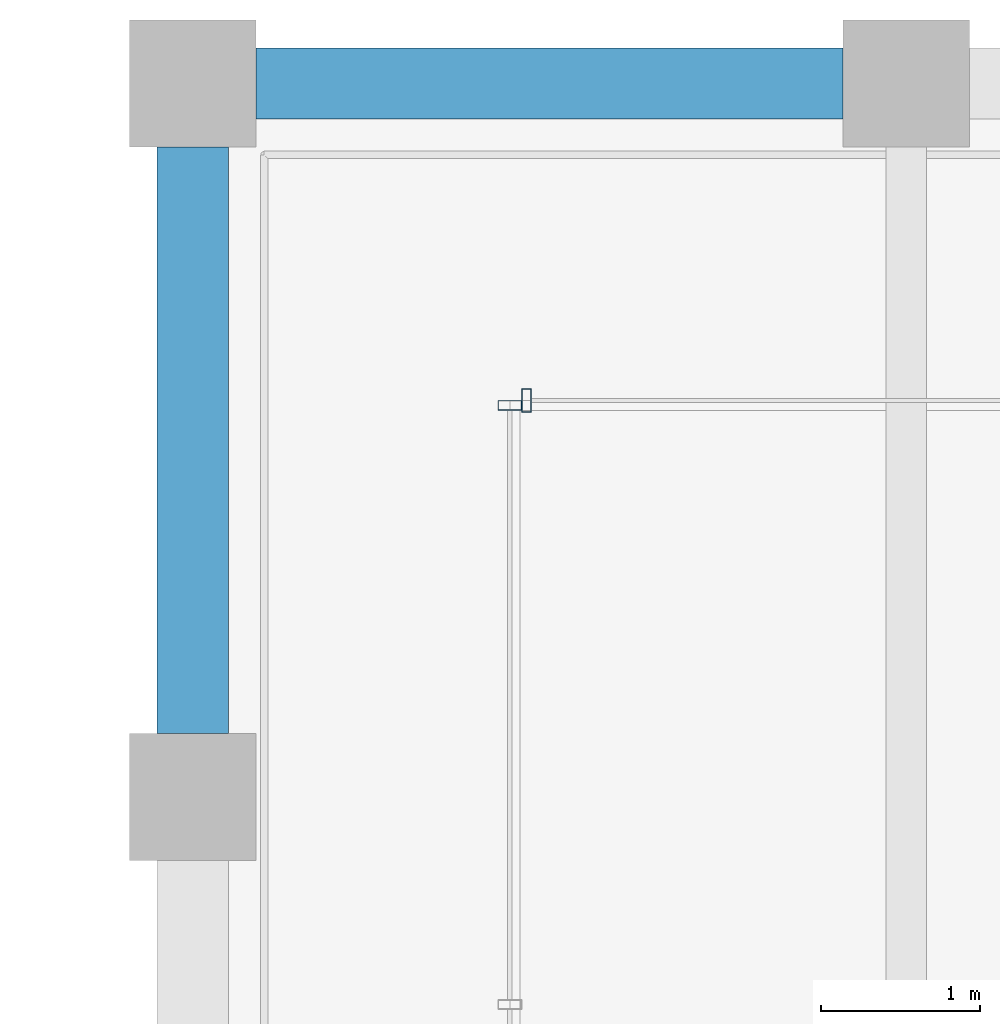
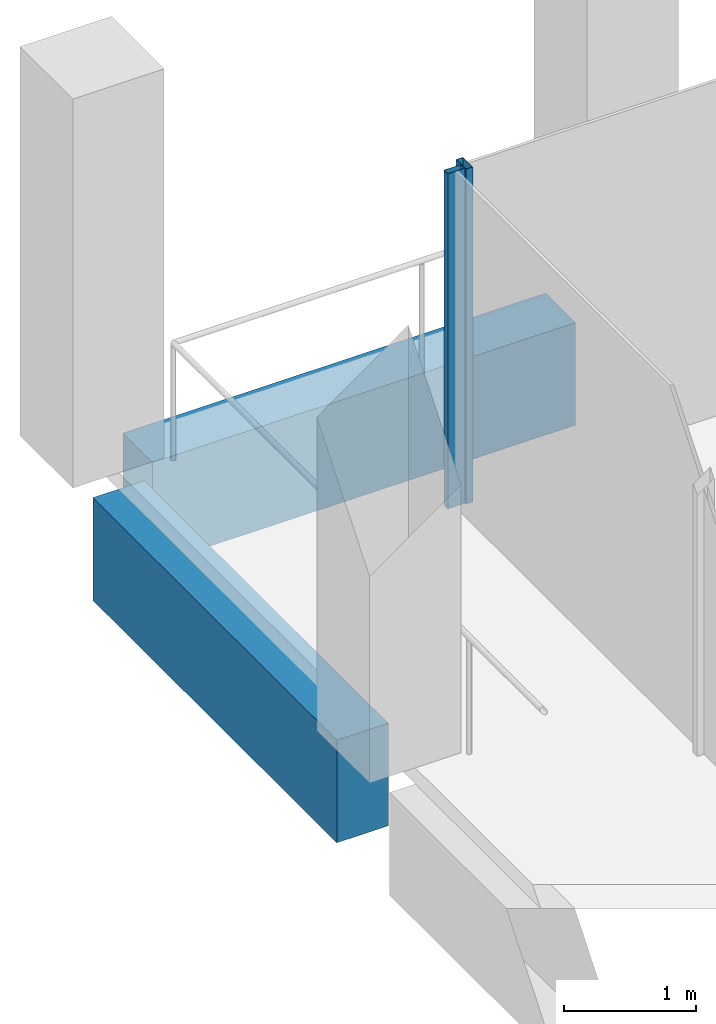
# One storey, part 21 of 40: 2 beams, 2 members, 2 elements without a shape of their own.
"""IFC4 building model written with IfcOpenShell, lengths in metres."""

import ifcopenshell
import ifcopenshell.guid

model = None  # the IFC model being written
_history = None  # IfcOwnerHistory: only IFC2X3 demands one
_inside = {}  # id of a spatial element -> (the spatial element, [elements in it])
_under = {}  # id of a project, library or spatial element -> (it, [spatial elements below it])
_declared = {}  # id of a project -> (the project, [libraries it declares])
_typed = {}  # id of a type object -> (the type object, [elements of that type])
_made_of = {}  # id of a material, layer set ... -> (it, [elements and type objects made of it])


def new_model(schema):
    """Start an empty IFC model of exactly this schema.

    Asked for "IFC4X3", IfcOpenShell would pick the latest addendum, in which some entities
    have other attributes; the version numbers below select the first issue.
    IFC2X3 requires an IfcOwnerHistory on every rooted entity: one is made here for all.
    """
    global model, _history
    if schema == "IFC4X3":
        model = ifcopenshell.file(schema_version=(4, 3, 0, 0))
    else:
        model = ifcopenshell.file(schema=schema)
    _inside.clear()
    _under.clear()
    _declared.clear()
    _typed.clear()
    _made_of.clear()
    _history = None
    if model.schema == "IFC2X3":
        org = make("IfcOrganization", Name="unknown")
        user = make(
            "IfcPersonAndOrganization",
            ThePerson=make("IfcPerson", FamilyName="unknown"),
            TheOrganization=org,
        )
        app = make(
            "IfcApplication",
            ApplicationDeveloper=org,
            Version="unknown",
            ApplicationFullName="unknown",
            ApplicationIdentifier="unknown",
        )
        _history = make(
            "IfcOwnerHistory",
            OwningUser=user,
            OwningApplication=app,
            ChangeAction="ADDED",
            CreationDate=0,
        )
    return model


def make(cls, **values):
    """One entity of the class cls with the attributes given. An attribute that is None is left unset."""
    return model.create_entity(
        cls, **{name: value for name, value in values.items() if value is not None}
    )


def rooted(cls, **values):
    """An entity with a GlobalId (a new one), such as an element, a storey or a relation."""
    return make(cls, GlobalId=ifcopenshell.guid.new(), OwnerHistory=_history, **values)


def si_unit(unit_type, name, prefix=None):
    """IfcSIUnit, for example si_unit("LENGTHUNIT", "METRE", prefix="MILLI")."""
    return make("IfcSIUnit", UnitType=unit_type, Prefix=prefix, Name=name)


def assignment(units):
    """IfcUnitAssignment: the units of a project."""
    return None if units is None else make("IfcUnitAssignment", Units=units)


def point(xyz):
    """IfcCartesianPoint."""
    return None if xyz is None else make("IfcCartesianPoint", Coordinates=xyz)


def direction(xyz):
    """IfcDirection."""
    return None if xyz is None else make("IfcDirection", DirectionRatios=xyz)


def frame(location, z_axis=None, x_axis=None):
    """IfcAxis2Placement3D, a coordinate frame: its origin and axes. An axis left out is left unset."""
    return make(
        "IfcAxis2Placement3D",
        Location=point(location),
        Axis=direction(z_axis),
        RefDirection=direction(x_axis),
    )


def frame_2d(location, x_axis=None):
    """IfcAxis2Placement2D, a coordinate frame in the plane: its origin and x axis."""
    return make(
        "IfcAxis2Placement2D", Location=point(location), RefDirection=direction(x_axis)
    )


def origin():
    """The frame at (0, 0, 0) with its axes left unset."""
    return frame((0.0, 0.0, 0.0))


def origin_2d():
    """The frame at (0, 0) in the plane with its x axis left unset."""
    return frame_2d((0.0, 0.0))


def place(relative_to, where):
    """IfcLocalPlacement: puts the frame where relative to a parent placement (None: the world)."""
    return make(
        "IfcLocalPlacement", PlacementRelTo=relative_to, RelativePlacement=where
    )


def context(
    kind, dimensions, precision=None, world=None, true_north=None, identifier=None
):
    """IfcGeometricRepresentationContext, for example the 3D "Model" context."""
    return make(
        "IfcGeometricRepresentationContext",
        ContextIdentifier=identifier,
        ContextType=kind,
        CoordinateSpaceDimension=dimensions,
        Precision=precision,
        WorldCoordinateSystem=world,
        TrueNorth=true_north,
    )


def subcontext(parent, identifier, kind, view, scale=None):
    """IfcGeometricRepresentationSubContext, for example "Body" below "Model"."""
    return make(
        "IfcGeometricRepresentationSubContext",
        ContextIdentifier=identifier,
        ContextType=kind,
        ParentContext=parent,
        TargetScale=scale,
        TargetView=view,
    )


def project(units=None, contexts=None):
    """IfcProject with its units and contexts."""
    return rooted(
        "IfcProject",
        Name="project",
        RepresentationContexts=contexts,
        UnitsInContext=assignment(units),
    )


def spatial(cls, under=None, at=None, **own):
    """A site, building, storey or space (cls), placed at a placement, below another one or the project."""
    s = rooted(cls, ObjectPlacement=at, **own)
    if under is not None:
        _under.setdefault(under.id(), (under, []))[1].append(s)
    return s


def profile(cls, at=None, kind="AREA", **sizes):
    """A parametric profile (cls). Its sizes go by their IFC names, for example OverallWidth=200.0."""
    return make(cls, ProfileType=kind, Position=at, **sizes)


def rectangle(**sizes):
    """IfcRectangleProfileDef."""
    return profile("IfcRectangleProfileDef", **sizes)


def hollow_rectangle(**sizes):
    """IfcRectangleHollowProfileDef."""
    return profile("IfcRectangleHollowProfileDef", **sizes)


def extrude(swept, where, along, depth):
    """IfcExtrudedAreaSolid: the profile swept, set in the frame where, extruded along a direction by depth."""
    return make(
        "IfcExtrudedAreaSolid",
        SweptArea=swept,
        Position=where,
        ExtrudedDirection=direction(along),
        Depth=depth,
    )


def shape(context_of_items, identifier, shape_type, items):
    """IfcShapeRepresentation: the items that make up one representation, for example the "Body"."""
    return make(
        "IfcShapeRepresentation",
        ContextOfItems=context_of_items,
        RepresentationIdentifier=identifier,
        RepresentationType=shape_type,
        Items=items,
    )


def material(Name=None, Category=None):
    """IfcMaterial."""
    return make("IfcMaterial", Name=Name, Category=Category)


def material_profile(
    of_material, cross_section, Name=None, Category=None, Priority=None
):
    """IfcMaterialProfile: a cross section and its material."""
    return make(
        "IfcMaterialProfile",
        Name=Name,
        Material=of_material,
        Profile=cross_section,
        Priority=Priority,
        Category=Category,
    )


def profile_set(profiles, Name=None, composite=None):
    """IfcMaterialProfileSet."""
    return make(
        "IfcMaterialProfileSet",
        Name=Name,
        MaterialProfiles=profiles,
        CompositeProfile=composite,
    )


def made_of(thing, what):
    """Note that an element or type object is made of a material, layer set ...; save() writes the relation."""
    if what is not None:
        _made_of.setdefault(what.id(), (what, []))[1].append(thing)
    return thing


def type_object(cls, material=None, **own):
    """A type object (cls), such as IfcWallType, which elements share."""
    return made_of(rooted(cls, **own), material)


def element(
    cls,
    number,
    at=None,
    inside=None,
    cuts=None,
    type_object=None,
    material=None,
    context=None,
    identifier="Body",
    shape_type=None,
    held_by="IfcProductDefinitionShape",
    body=None,
    shapes=None,
    **own,
):
    """One element of the class cls, such as IfcWall. Its Tag is "e" and its number.

    at: its placement. inside: the storey or other place that contains it. cuts: it is an
    opening in that element (IfcRelVoidsElement). A single representation is given by context,
    identifier, shape_type and body (its items); several are given by shapes. held_by: the class
    of the entity that holds the representations. save() writes the other relations.
    """
    e = rooted(cls, Tag="e%d" % number, ObjectPlacement=at, **own)
    if body is not None:
        shapes = [shape(context, identifier, shape_type, body)]
    if shapes is not None:
        e.Representation = make(held_by, Representations=shapes)
    if inside is not None:
        _inside.setdefault(inside.id(), (inside, []))[1].append(e)
    if cuts is not None:
        rooted(
            "IfcRelVoidsElement", RelatingBuildingElement=cuts, RelatedOpeningElement=e
        )
    if type_object is not None:
        _typed.setdefault(type_object.id(), (type_object, []))[1].append(e)
    return made_of(e, material)


def aggregate(whole, parts):
    """IfcRelAggregates: a whole, such as a stair, and the parts it consists of."""
    return rooted("IfcRelAggregates", RelatingObject=whole, RelatedObjects=parts)


def save(model, path):
    """Write the relations noted so far, then the file.

    IfcRelAggregates (storeys below a building ...), IfcRelContainedInSpatialStructure (elements
    in a storey), IfcRelDefinesByType, IfcRelAssociatesMaterial and IfcRelDeclares: one each for
    every whole, place, type object, material and project.
    """
    for whole, parts in _under.values():
        aggregate(whole, parts)
    for where, things in _inside.values():
        rooted(
            "IfcRelContainedInSpatialStructure",
            RelatedElements=things,
            RelatingStructure=where,
        )
    for kind, things in _typed.values():
        rooted("IfcRelDefinesByType", RelatedObjects=things, RelatingType=kind)
    for what, things in _made_of.values():
        rooted("IfcRelAssociatesMaterial", RelatedObjects=things, RelatingMaterial=what)
    for by, libraries in _declared.values():
        rooted("IfcRelDeclares", RelatingContext=by, RelatedDefinitions=libraries)
    model.write(path)


model = new_model("IFC4")

# Units and contexts
model_context = context("Model", 3, precision=1e-05, world=origin(), true_north=direction((0.0, 1.0)))
body_context = subcontext(model_context, "Body", "Model", "MODEL_VIEW")
ifc_project = project(units=[si_unit("LENGTHUNIT", "METRE"), si_unit("AREAUNIT", "SQUARE_METRE"), si_unit("VOLUMEUNIT", "CUBIC_METRE"), si_unit("PLANEANGLEUNIT", "RADIAN"), si_unit("MASSUNIT", "GRAM", prefix="KILO")], contexts=[model_context])

# Site, building, storey
site_placement = place(None, origin())
site = spatial("IfcSite", under=ifc_project, at=site_placement, CompositionType="ELEMENT")
building_placement = place(site_placement, origin())
building = spatial("IfcBuilding", under=site, at=building_placement, Name="Altepetl Exchange Towers", CompositionType="ELEMENT")
storey_placement = place(building_placement, frame((0.0, 0.0, 202.800048828125)))
storey = spatial("IfcBuildingStorey", under=building, at=storey_placement, Name="L51", CompositionType="ELEMENT", Elevation=202.800048828125)

# Curtain wall, member
ifc_material_1 = material(Name="Aluminium 6063-T6 glazing", Category="aluminium")
curtain_wall_type = type_object("IfcCurtainWallType", Name="Loggia glazing system", PredefinedType="NOTDEFINED", material=ifc_material_1)
curtain_wall_1_placement = place(storey_placement, origin())
curtain_wall_1 = element("IfcCurtainWall", 1, at=curtain_wall_1_placement, inside=storey, type_object=curtain_wall_type, Name="CW1 run", PredefinedType="NOTDEFINED")
ifc_material_2 = material(Name="Aluminium 6063-T6", Category="aluminium")
ifc_material_profile_1 = material_profile(ifc_material_2, hollow_rectangle(XDim=0.06005859375, YDim=0.14990234375, WallThickness=0.0029296875, at=origin_2d()), Name="Mullion 60x150 aluminium")
ifc_profile_set_1 = profile_set([ifc_material_profile_1], Name="Aluminium 6063-T6")
member_type = type_object("IfcMemberType", Name="Mullion 60x150 aluminium", PredefinedType="MULLION", material=ifc_profile_set_1)
member_1_placement = place(storey_placement, frame((42.60498046875, 70.0, 0.0), z_axis=(0.0, 0.0, 1.0), x_axis=(-1.0, 0.0, 0.0)))
member_1 = element("IfcMember", 2, at=member_1_placement, type_object=member_type, Name="MU1 mullion", PredefinedType="MULLION", context=body_context, shape_type="SweptSolid", body=[
    extrude(hollow_rectangle(XDim=0.06005859375, YDim=0.14990234375, WallThickness=0.0029296875, at=origin_2d()), origin(), (0.0, 0.0, 1.0), 3.099853515625),
])
aggregate(curtain_wall_1, [member_1])

curtain_wall_2_placement = place(storey_placement, origin())
curtain_wall_2 = element("IfcCurtainWall", 3, at=curtain_wall_2_placement, inside=storey, type_object=curtain_wall_type, Name="CW1 run", PredefinedType="NOTDEFINED")
member_2_placement = place(storey_placement, frame((42.5, 69.969970703125, 0.0), z_axis=(0.0, 0.0, 1.0), x_axis=(0.0, -1.0, 0.0)))
member_2 = element("IfcMember", 4, at=member_2_placement, type_object=member_type, Name="MU1 mullion", PredefinedType="MULLION", context=body_context, shape_type="SweptSolid", body=[
    extrude(hollow_rectangle(XDim=0.06005859375, YDim=0.14990234375, WallThickness=0.0029296875, at=origin_2d()), origin(), (0.0, 0.0, 1.0), 3.099853515625),
])
aggregate(curtain_wall_2, [member_2])

# Beams
ifc_material_3 = material(Name="Concrete C50/60 precast with cantera rosa facing", Category="concrete")
ifc_material_profile_2 = material_profile(ifc_material_3, rectangle(XDim=0.449951171875, YDim=0.949951171875, at=origin_2d()), Name="450 x 950")
ifc_profile_set_2 = profile_set([ifc_material_profile_2], Name="Concrete C50/60 precast with cantera rosa facing")
beam_type_1 = type_object("IfcBeamType", Name="Spandrel beam 450x950 cantera rosa", PredefinedType="SPANDREL", material=ifc_profile_set_2)
beam_1_placement = place(storey_placement, frame((44.60009765625, 72.0, -0.625), z_axis=(-1.0, 0.0, 0.0), x_axis=(0.0, -1.0, 0.0)))
element("IfcBeam", 5, at=beam_1_placement, inside=storey, type_object=beam_type_1, Name="sp:A:L51:029", PredefinedType="SPANDREL", context=body_context, shape_type="SweptSolid", body=[
    extrude(rectangle(XDim=0.449951171875, YDim=0.949951171875, at=origin_2d()), origin(), (0.0, 0.0, 1.0), 3.7001953125),
])
ifc_material_4 = material(Name="Concrete C50/60 precast with tezontle facing", Category="concrete")
ifc_material_profile_3 = material_profile(ifc_material_4, rectangle(XDim=0.449951171875, YDim=0.949951171875, at=origin_2d()), Name="450 x 950")
ifc_profile_set_3 = profile_set([ifc_material_profile_3], Name="Concrete C50/60 precast with tezontle facing")
beam_type_2 = type_object("IfcBeamType", Name="Spandrel beam 450x950 tezontle", PredefinedType="SPANDREL", material=ifc_profile_set_3)
beam_2_placement = place(storey_placement, frame((40.5, 71.60009765625, -0.625), z_axis=(0.0, -1.0, 0.0), x_axis=(1.0, 0.0, 0.0)))
element("IfcBeam", 6, at=beam_2_placement, inside=storey, type_object=beam_type_2, Name="sp:A:L51:030", PredefinedType="SPANDREL", context=body_context, shape_type="SweptSolid", body=[
    extrude(rectangle(XDim=0.449951171875, YDim=0.949951171875, at=origin_2d()), origin(), (0.0, 0.0, 1.0), 3.7001953125),
])

save(model, "model.ifc")
